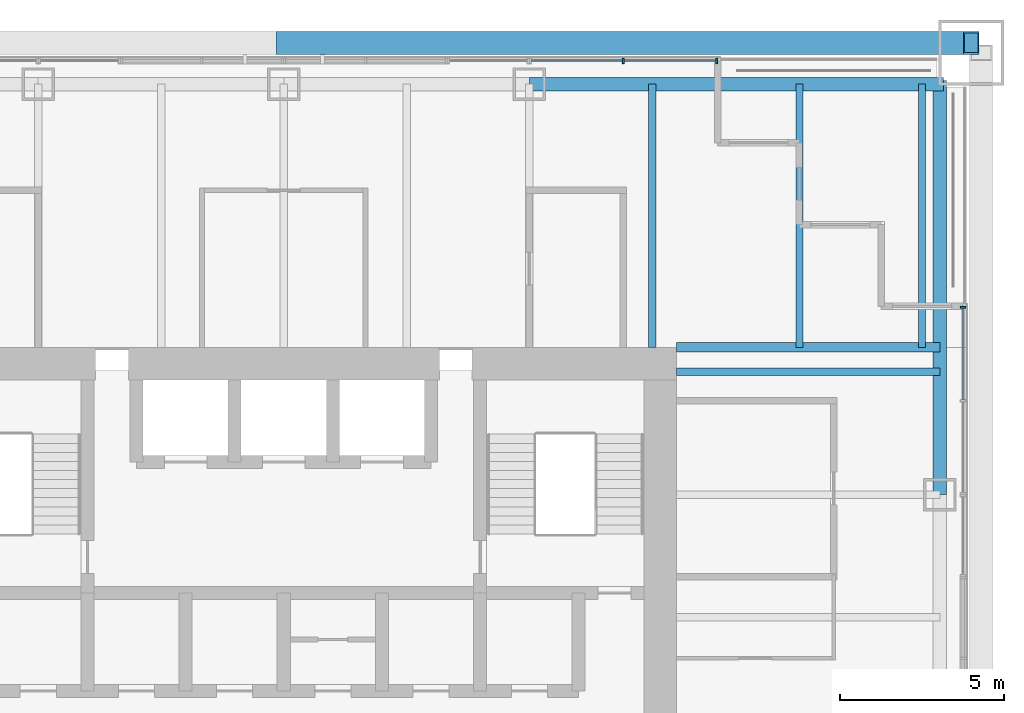
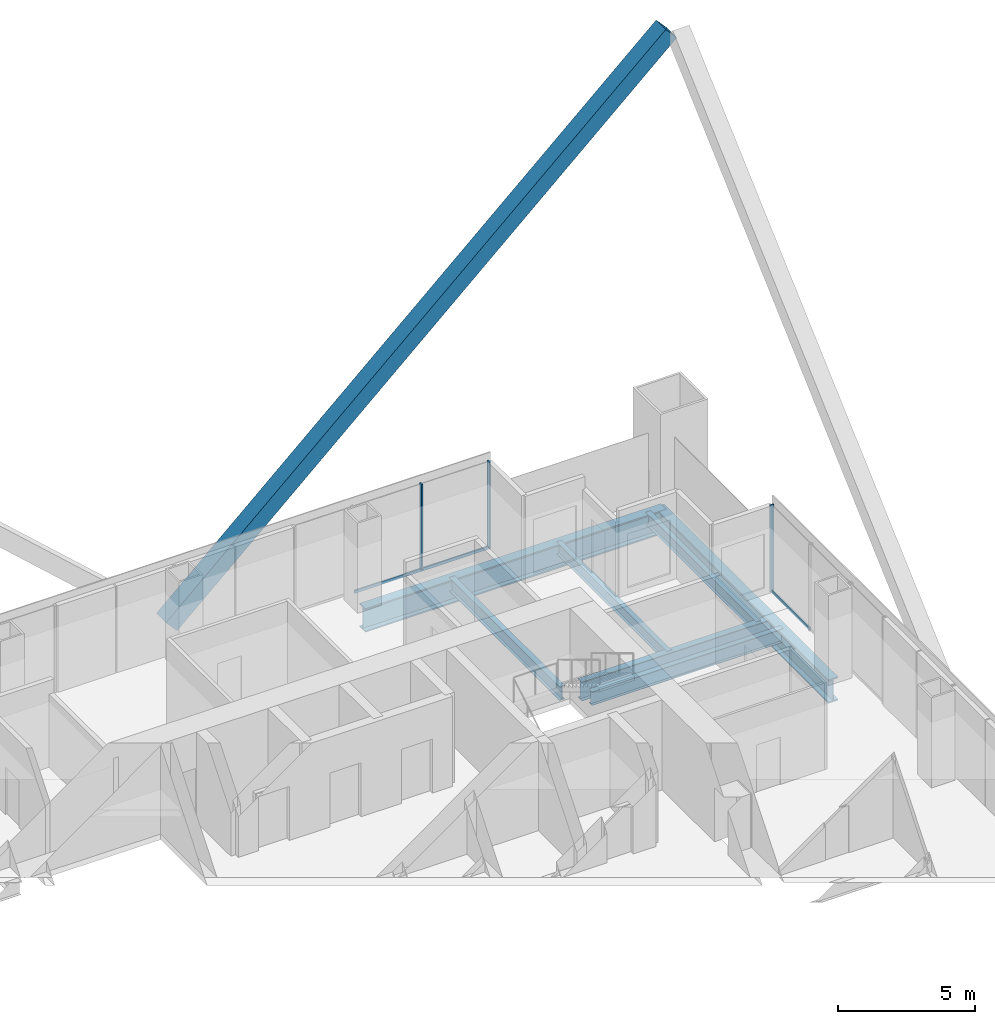
# One storey, part 10 of 17: 7 beams, 7 members, 2 elements without a shape of their own.
"""IFC4 building model written with IfcOpenShell, lengths in metres."""

from ifc_helpers import new_model, si_unit, direction, frame, origin, origin_2d, place, context, subcontext, project, spatial, rectangle, hollow_rectangle, i_section, extrude, material, material_profile, profile_set, type_object, element, aggregate, save


model = new_model("IFC4")

# Units and contexts
model_context = context("Model", 3, precision=1e-05, world=origin(), true_north=direction((0.0, 1.0)))
body_context = subcontext(model_context, "Body", "Model", "MODEL_VIEW")
ifc_project = project(units=[si_unit("LENGTHUNIT", "METRE"), si_unit("AREAUNIT", "SQUARE_METRE"), si_unit("VOLUMEUNIT", "CUBIC_METRE"), si_unit("PLANEANGLEUNIT", "RADIAN"), si_unit("MASSUNIT", "GRAM", prefix="KILO")], contexts=[model_context])

# Site, building, storey
site_placement = place(None, origin())
site = spatial("IfcSite", under=ifc_project, at=site_placement, CompositionType="ELEMENT")
building_placement = place(site_placement, origin())
building = spatial("IfcBuilding", under=site, at=building_placement, Name="Tarangal Relay Tower", CompositionType="ELEMENT")
storey_placement = place(building_placement, frame((0.0, 0.0, 315.89990234375)))
storey = spatial("IfcBuildingStorey", under=building, at=storey_placement, Name="L70", CompositionType="ELEMENT", Elevation=315.89990234375)

# Beams
ifc_material_1 = material(Name="Steel ASTM A992", Category="steel")
ifc_material_profile_1 = material_profile(ifc_material_1, i_section(OverallWidth=0.209228515625, OverallDepth=0.533447265625, WebThickness=0.01025390625, FlangeThickness=0.015625, at=origin_2d()), Name="W21X62")
ifc_profile_set_1 = profile_set([ifc_material_profile_1], Name="Steel ASTM A992")
beam_type_1 = type_object("IfcBeamType", Name="Corner beam W21X62", PredefinedType="JOIST", material=ifc_profile_set_1)
for number, where, z_axis, x_axis, name in (
    (1, (15.75, 12.0, -0.41650390625), (0.0, 1.0, 0.0), (-1.0, 0.0, 0.0), "Corner beam CB12 N L70"),
    (2, (19.5, 12.0, -0.41650390625), (0.0, 1.0, 0.0), (-1.0, 0.0, 0.0), "Corner beam CB12 N L70"),
):
    element("IfcBeam", number, at=place(storey_placement, frame(where, z_axis=z_axis, x_axis=x_axis)), inside=storey, type_object=beam_type_1, Name=name, PredefinedType="JOIST", context=body_context, shape_type="SweptSolid", body=[
        extrude(i_section(OverallWidth=0.209228515625, OverallDepth=0.533447265625, WebThickness=0.01025390625, FlangeThickness=0.015625, at=origin_2d()), origin(), (0.0, 0.0, 1.0), 8.0400390625),
    ])
ifc_material_profile_2 = material_profile(ifc_material_1, i_section(OverallWidth=0.2919921875, OverallDepth=0.8408203125, WebThickness=0.0146484375, FlangeThickness=0.021728515625, at=origin_2d()), Name="W33X130")
ifc_profile_set_2 = profile_set([ifc_material_profile_2], Name="Steel ASTM A992")
beam_type_2 = type_object("IfcBeamType", Name="Corner girder W33X130", PredefinedType="BEAM", material=ifc_profile_set_2)
beam_placement = place(storey_placement, frame((12.0, 12.0, -0.5703125), z_axis=(1.0, 0.0, 0.0), x_axis=(0.0, 1.0, 0.0)))
element("IfcBeam", 3, at=beam_placement, inside=storey, type_object=beam_type_2, Name="Corner girder CG5 N L70", PredefinedType="BEAM", context=body_context, shape_type="SweptSolid", body=[
    extrude(i_section(OverallWidth=0.2919921875, OverallDepth=0.8408203125, WebThickness=0.0146484375, FlangeThickness=0.021728515625, at=origin_2d()), origin(), (0.0, 0.0, 1.0), 8.0400390625),
])
ifc_material_profile_3 = material_profile(ifc_material_1, i_section(OverallWidth=0.41162109375, OverallDepth=1.049072265625, WebThickness=0.033935546875, FlangeThickness=0.059814453125, at=origin_2d()), Name="W40X431")
ifc_profile_set_3 = profile_set([ifc_material_profile_3], Name="Steel ASTM A992")
beam_type_3 = type_object("IfcBeamType", Name="Edge girder W40X431", PredefinedType="SPANDREL", material=ifc_profile_set_3)
for number, where, z_axis, x_axis, name in (
    (4, (7.5, 20.0400390625, -0.67431640625), (1.0, 0.0, 0.0), (0.0, 1.0, 0.0), "Edge girder EG1 N L70"),
    (5, (20.0400390625, 20.14990234375, -0.67431640625), (0.0, -1.0, 0.0), (1.0, 0.0, 0.0), "Edge girder EG1 E L70"),
):
    element("IfcBeam", number, at=place(storey_placement, frame(where, z_axis=z_axis, x_axis=x_axis)), inside=storey, type_object=beam_type_3, Name=name, PredefinedType="SPANDREL", context=body_context, shape_type="SweptSolid", body=[
        extrude(i_section(OverallWidth=0.41162109375, OverallDepth=1.049072265625, WebThickness=0.033935546875, FlangeThickness=0.059814453125, at=origin_2d()), origin(), (0.0, 0.0, 1.0), 12.64990234375),
    ])
ifc_material_profile_4 = material_profile(ifc_material_1, i_section(OverallWidth=0.228271484375, OverallDepth=0.607177734375, WebThickness=0.01123046875, FlangeThickness=0.017333984375, at=origin_2d()), Name="W24X76")
ifc_profile_set_4 = profile_set([ifc_material_profile_4], Name="Steel ASTM A992")
beam_type_4 = type_object("IfcBeamType", Name="Floor beam W24X76", PredefinedType="BEAM", material=ifc_profile_set_4)
for number, where, z_axis, x_axis, name in (
    (6, (11.25, 12.0, -0.453369140625), (0.0, 1.0, 0.0), (-1.0, 0.0, 0.0), "Floor beam RB5 N L70"),
    (7, (12.0, 11.25, -0.453369140625), (1.0, 0.0, 0.0), (0.0, 1.0, 0.0), "Floor beam RB5 E L70"),
):
    element("IfcBeam", number, at=place(storey_placement, frame(where, z_axis=z_axis, x_axis=x_axis)), inside=storey, type_object=beam_type_4, Name=name, PredefinedType="BEAM", context=body_context, shape_type="SweptSolid", body=[
        extrude(i_section(OverallWidth=0.228271484375, OverallDepth=0.607177734375, WebThickness=0.01123046875, FlangeThickness=0.017333984375, at=origin_2d()), origin(), (0.0, 0.0, 1.0), 8.0400390625),
    ])

# Member
ifc_material_2 = material(Name="Steel ASTM A572 Grade 50", Category="steel")
ifc_material_profile_5 = material_profile(ifc_material_2, hollow_rectangle(XDim=0.699951171875, YDim=0.699951171875, WallThickness=0.052001953125, at=origin_2d()), Name="BOX700X700X52")
ifc_profile_set_5 = profile_set([ifc_material_profile_5], Name="Steel ASTM A572 Grade 50")
member_type_1 = type_object("IfcMemberType", Name="Mega brace BOX700X700X52", PredefinedType="BRACE", material=ifc_profile_set_5)
member_1_placement = place(storey_placement, frame((0.0, 21.300048828125, 1.0), z_axis=(0.741535779124, 0.0, 0.670913323969), x_axis=(0.0, 1.0, 0.0)))
element("IfcMember", 8, at=member_1_placement, inside=storey, type_object=member_type_1, Name="Mega brace MB4 N face module 2", PredefinedType="BRACE", context=body_context, shape_type="SweptSolid", body=[
    extrude(hollow_rectangle(XDim=0.699951171875, YDim=0.699951171875, WallThickness=0.052001953125, at=origin_2d()), origin(), (0.0, 0.0, 1.0), 28.319580078125),
])

# Curtain wall, members
ifc_material_3 = material(Name="Unitised curtain wall, dark glass and black aluminium", Category="aluminium")
curtain_wall_type = type_object("IfcCurtainWallType", Name="Curtain wall CW-B", PredefinedType="USERDEFINED", material=ifc_material_3)
curtain_wall_1_placement = place(storey_placement, origin())
curtain_wall_1 = element("IfcCurtainWall", 9, at=curtain_wall_1_placement, inside=storey, type_object=curtain_wall_type, Name="Curtain wall CW-B N facade L70", ObjectType="UNITISED CURTAIN WALL", PredefinedType="USERDEFINED")
ifc_material_4 = material(Name="Black anodised aluminium mullion", Category="aluminium")
ifc_material_profile_6 = material_profile(ifc_material_4, rectangle(XDim=0.159912109375, YDim=0.06005859375, at=origin_2d()), Name="CW-BM 60X160")
ifc_profile_set_6 = profile_set([ifc_material_profile_6], Name="Black anodised aluminium mullion")
member_type_2 = type_object("IfcMemberType", Name="Mullion CW-B 60 x 160", PredefinedType="MULLION", material=ifc_profile_set_6)
member_2_placement = place(storey_placement, frame((10.375, 20.75, 0.0), z_axis=(0.0, 0.0, 1.0), x_axis=(0.0, 1.0, 0.0)))
member_2 = element("IfcMember", 10, at=member_2_placement, type_object=member_type_2, Name="CW-B mullion 2", PredefinedType="MULLION", context=body_context, shape_type="SweptSolid", body=[
    extrude(rectangle(XDim=0.159912109375, YDim=0.06005859375, at=origin_2d()), origin(), (0.0, 0.0, 1.0), 3.85009765625),
])
member_3_placement = place(storey_placement, frame((13.219970703125, 20.75, 0.0), z_axis=(0.0, 0.0, 1.0), x_axis=(0.0, 1.0, 0.0)))
member_3 = element("IfcMember", 11, at=member_3_placement, type_object=member_type_2, Name="CW-B mullion 3", PredefinedType="MULLION", context=body_context, shape_type="SweptSolid", body=[
    extrude(rectangle(XDim=0.159912109375, YDim=0.06005859375, at=origin_2d()), origin(), (0.0, 0.0, 1.0), 3.85009765625),
])

# Curtain wall, member
curtain_wall_2_placement = place(storey_placement, origin())
curtain_wall_2 = element("IfcCurtainWall", 12, at=curtain_wall_2_placement, inside=storey, type_object=curtain_wall_type, Name="Curtain wall CW-B E facade L70", ObjectType="UNITISED CURTAIN WALL", PredefinedType="USERDEFINED")
member_4_placement = place(storey_placement, frame((20.75, 13.219970703125, 0.0), z_axis=(0.0, 0.0, 1.0), x_axis=(1.0, 0.0, 0.0)))
member_4 = element("IfcMember", 13, at=member_4_placement, type_object=member_type_2, Name="CW-B mullion 1", PredefinedType="MULLION", context=body_context, shape_type="SweptSolid", body=[
    extrude(rectangle(XDim=0.159912109375, YDim=0.06005859375, at=origin_2d()), origin(), (0.0, 0.0, 1.0), 3.85009765625),
])

# Member
ifc_material_5 = material(Name="Black anodised aluminium transom", Category="aluminium")
ifc_material_profile_7 = material_profile(ifc_material_5, rectangle(XDim=0.06005859375, YDim=0.1298828125, at=origin_2d()), Name="CW-BT 60X130")
ifc_profile_set_7 = profile_set([ifc_material_profile_7], Name="Black anodised aluminium transom")
member_type_3 = type_object("IfcMemberType", Name="Transom CW-B 60 x 130", PredefinedType="USERDEFINED", material=ifc_profile_set_7)
member_5_placement = place(storey_placement, frame((7.56005859375, 20.75, 0.030029296875), z_axis=(1.0, 0.0, 0.0), x_axis=(0.0, 1.0, 0.0)))
member_5 = element("IfcMember", 14, at=member_5_placement, type_object=member_type_3, Name="CW-B transom 1.1", ObjectType="TRANSOM", PredefinedType="USERDEFINED", context=body_context, shape_type="SweptSolid", body=[
    extrude(rectangle(XDim=0.06005859375, YDim=0.1298828125, at=origin_2d()), origin(), (0.0, 0.0, 1.0), 2.784912109375),
])

member_6_placement = place(storey_placement, frame((10.405029296875, 20.75, 0.030029296875), z_axis=(1.0, 0.0, 0.0), x_axis=(0.0, 1.0, 0.0)))
member_6 = element("IfcMember", 15, at=member_6_placement, type_object=member_type_3, Name="CW-B transom 2.1", ObjectType="TRANSOM", PredefinedType="USERDEFINED", context=body_context, shape_type="SweptSolid", body=[
    extrude(rectangle(XDim=0.06005859375, YDim=0.1298828125, at=origin_2d()), origin(), (0.0, 0.0, 1.0), 2.784912109375),
])

aggregate(curtain_wall_1, [member_2, member_3, member_5, member_6])

member_7_placement = place(storey_placement, frame((20.75, 13.18994140625, 0.030029296875), z_axis=(0.0, -1.0, 0.0), x_axis=(1.0, 0.0, 0.0)))
member_7 = element("IfcMember", 16, at=member_7_placement, type_object=member_type_3, Name="CW-B transom 1.1", ObjectType="TRANSOM", PredefinedType="USERDEFINED", context=body_context, shape_type="SweptSolid", body=[
    extrude(rectangle(XDim=0.06005859375, YDim=0.1298828125, at=origin_2d()), origin(), (0.0, 0.0, 1.0), 2.784912109375),
])

aggregate(curtain_wall_2, [member_4, member_7])

save(model, "model.ifc")
